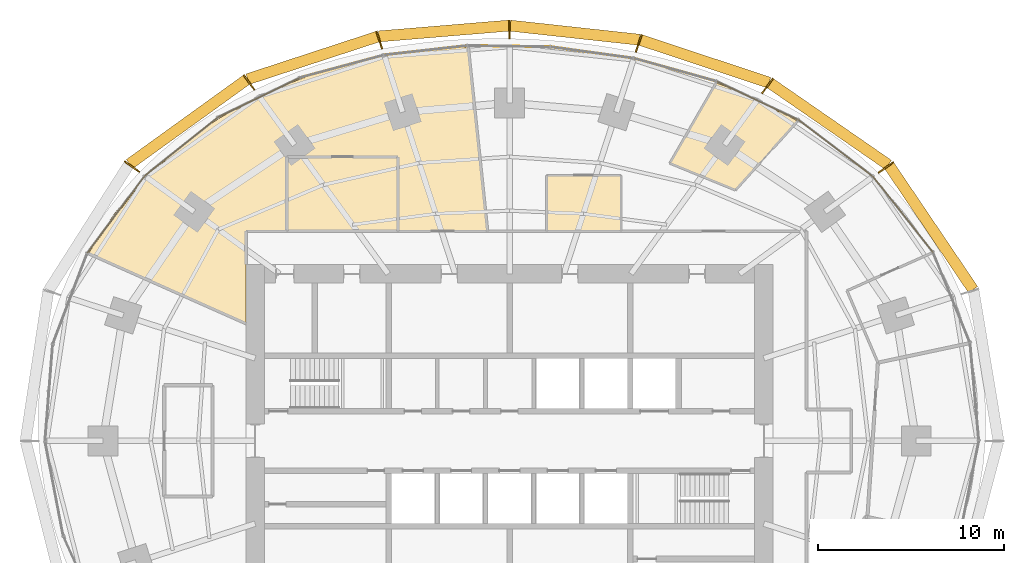
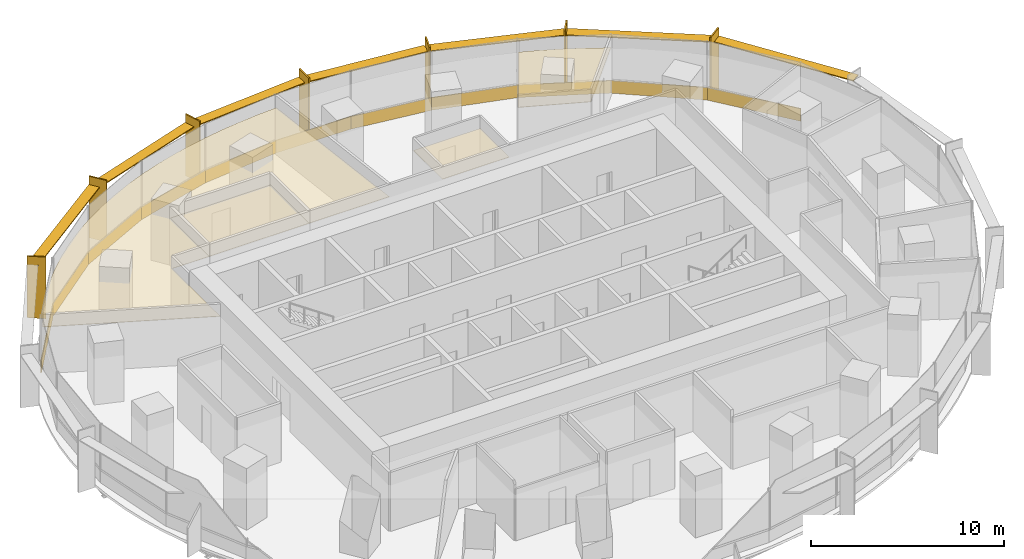
# One storey, part 14 of 14: 15 coverings, 14 shading devices.
"""IFC4 building model written with IfcOpenShell, lengths in metres."""

from ifc_helpers import new_model, si_unit, direction, frame, origin, origin_2d, place, context, subcontext, project, spatial, polyline, rectangle, outline, extrude, material, layer, layer_set, type_object, element, save


model = new_model("IFC4")

# Units and contexts
model_context = context("Model", 3, precision=1e-05, world=origin(), true_north=direction((0.0, 1.0)))
body_context = subcontext(model_context, "Body", "Model", "MODEL_VIEW")
ifc_project = project(units=[si_unit("LENGTHUNIT", "METRE"), si_unit("AREAUNIT", "SQUARE_METRE"), si_unit("VOLUMEUNIT", "CUBIC_METRE"), si_unit("PLANEANGLEUNIT", "RADIAN"), si_unit("MASSUNIT", "GRAM", prefix="KILO")], contexts=[model_context])

# Site, building, storey
site_placement = place(None, origin())
site = spatial("IfcSite", under=ifc_project, at=site_placement, CompositionType="ELEMENT")
building_placement = place(site_placement, origin())
building = spatial("IfcBuilding", under=site, at=building_placement, Name="Marramba Exchange Tower", CompositionType="ELEMENT")
storey_placement = place(building_placement, frame((0.0, 0.0, 127.5)))
storey = spatial("IfcBuildingStorey", under=building, at=storey_placement, Name="L30", CompositionType="ELEMENT", Elevation=127.5)

# Shading devices
ifc_material_1 = material(Name="Aluminium blade, timber-look bronze finish", Category="wood")
ifc_layer_1 = layer(ifc_material_1, 0.080078125)
ifc_layer_set_1 = layer_set([ifc_layer_1], Name="Floor-edge blade 1000x80")
shading_device_type_1 = type_object("IfcShadingDeviceType", Name="Floor-edge blade 1000x80", PredefinedType="USERDEFINED", material=ifc_layer_set_1)
for number, where, z_axis, x_axis, name in (
    (1, (20.27392578125, 14.72998046875, -0.159912109375), (0.0, 0.0, 1.0), (0.809016994375, 0.587785252292, 0.0), "Floor-edge blade FB1 L30 TC03"),
    (2, (13.8955078125, 19.12548828125, -0.159912109375), (0.0, 0.0, 1.0), (0.587785252292, 0.809016994375, 0.0), "Floor-edge blade FB1 L30 TC04"),
    (3, (6.958984375, 21.41748046875, -0.159912109375), (0.0, 0.0, 1.0), (0.309016994375, 0.951056516295, 0.0), "Floor-edge blade FB1 L30 TC05"),
    (4, (0.0, 22.173095703125, -0.159912109375), (0.0, 0.0, 1.0), (0.0, 1.0, 0.0), "Floor-edge blade FB1 L30 TC06"),
    (5, (-7.016845703125, 21.595703125, -0.159912109375), (0.0, 0.0, 1.0), (-0.309016994375, 0.951056516295, 0.0), "Floor-edge blade FB1 L30 TC07"),
    (6, (-14.029296875, 19.3095703125, -0.159912109375), (0.0, 0.0, 1.0), (-0.587785252292, 0.809016994375, 0.0), "Floor-edge blade FB1 L30 TC08"),
    (7, (-20.33642578125, 14.775390625, -0.159912109375), (0.0, 0.0, 1.0), (-0.809016994375, 0.587785252292, 0.0), "Floor-edge blade FB1 L30 TC09"),
):
    element("IfcShadingDevice", number, at=place(storey_placement, frame(where, z_axis=z_axis, x_axis=x_axis)), inside=storey, type_object=shading_device_type_1, Name=name, ObjectType="FIN", PredefinedType="USERDEFINED", context=body_context, shape_type="SweptSolid", body=[
        extrude(rectangle(XDim=1.0, YDim=0.080078125, at=origin_2d()), origin(), (0.0, 0.0, 1.0), 3.89990234375),
    ])
ifc_material_2 = material(Name="Aluminium sunshade, bronze anodised", Category="aluminium")
ifc_layer_2 = layer(ifc_material_2, 0.06005859375)
ifc_layer_set_2 = layer_set([ifc_layer_2], Name="SUNSHADE blade 600x60")
shading_device_type_2 = type_object("IfcShadingDeviceType", Name="SUNSHADE blade 600x60", PredefinedType="USERDEFINED", material=ifc_layer_set_2)
shading_device_1_placement = place(storey_placement, frame((22.712158203125, 11.4833984375, 3.159912109375), z_axis=(0.0, 0.0, 1.0), x_axis=(-0.560441804861, 0.828193807852, 0.0)))
element("IfcShadingDevice", 8, at=shading_device_1_placement, inside=storey, type_object=shading_device_type_2, Name="Sunshade SS1 L30 bay 02", ObjectType="SUNSHADE", PredefinedType="USERDEFINED", context=body_context, shape_type="SweptSolid", body=[
    extrude(rectangle(XDim=8.0439453125, YDim=0.60009765625, at=origin_2d()), origin(), (0.0, 0.0, 1.0), 0.06005859375),
])
shading_device_2_placement = place(storey_placement, frame((17.224365234375, 17.0673828125, 3.159912109375), z_axis=(0.0, 0.0, 1.0), x_axis=(-0.822589509071, 0.568635647464, 0.0)))
element("IfcShadingDevice", 9, at=shading_device_2_placement, inside=storey, type_object=shading_device_type_2, Name="Sunshade SS1 L30 bay 03", ObjectType="SUNSHADE", PredefinedType="USERDEFINED", context=body_context, shape_type="SweptSolid", body=[
    extrude(rectangle(XDim=7.72802734375, YDim=0.60009765625, at=origin_2d()), origin(), (0.0, 0.0, 1.0), 0.06005859375),
])
shading_device_3_placement = place(storey_placement, frame((10.516845703125, 20.447509765625, 3.159912109375), z_axis=(0.0, 0.0, 1.0), x_axis=(-0.949101076178, 0.314971660944, 0.0)))
element("IfcShadingDevice", 10, at=shading_device_3_placement, inside=storey, type_object=shading_device_type_2, Name="Sunshade SS1 L30 bay 04", ObjectType="SUNSHADE", PredefinedType="USERDEFINED", context=body_context, shape_type="SweptSolid", body=[
    extrude(rectangle(XDim=7.287353515625, YDim=0.60009765625, at=origin_2d()), origin(), (0.0, 0.0, 1.0), 0.06005859375),
])
shading_device_4_placement = place(storey_placement, frame((3.510498046875, 21.990478515625, 3.159912109375), z_axis=(0.0, 0.0, 1.0), x_axis=(-0.994111392801, 0.108362995081, 0.0)))
element("IfcShadingDevice", 11, at=shading_device_4_placement, inside=storey, type_object=shading_device_type_2, Name="Sunshade SS1 L30 bay 05", ObjectType="SUNSHADE", PredefinedType="USERDEFINED", context=body_context, shape_type="SweptSolid", body=[
    extrude(rectangle(XDim=6.982421875, YDim=0.60009765625, at=origin_2d()), origin(), (0.0, 0.0, 1.0), 0.06005859375),
])
shading_device_5_placement = place(storey_placement, frame((-3.539306640625, 22.07958984375, 3.159912109375), z_axis=(0.0, 0.0, 1.0), x_axis=(-0.996577838412, -0.08265961521, 0.0)))
element("IfcShadingDevice", 12, at=shading_device_5_placement, inside=storey, type_object=shading_device_type_2, Name="Sunshade SS1 L30 bay 06", ObjectType="SUNSHADE", PredefinedType="USERDEFINED", context=body_context, shape_type="SweptSolid", body=[
    extrude(rectangle(XDim=7.02294921875, YDim=0.60009765625, at=origin_2d()), origin(), (0.0, 0.0, 1.0), 0.06005859375),
])
shading_device_6_placement = place(storey_placement, frame((-10.61279296875, 20.628662109375, 3.159912109375), z_axis=(0.0, 0.0, 1.0), x_axis=(-0.950345637432, -0.311196351865, 0.0)))
element("IfcShadingDevice", 13, at=shading_device_6_placement, inside=storey, type_object=shading_device_type_2, Name="Sunshade SS1 L30 bay 07", ObjectType="SUNSHADE", PredefinedType="USERDEFINED", context=body_context, shape_type="SweptSolid", body=[
    extrude(rectangle(XDim=7.357421875, YDim=0.60009765625, at=origin_2d()), origin(), (0.0, 0.0, 1.0), 0.06005859375),
])
shading_device_7_placement = place(storey_placement, frame((-17.322509765625, 17.18212890625, 3.159912109375), z_axis=(0.0, 0.0, 1.0), x_axis=(-0.811199164202, -0.584769968448, 0.0)))
element("IfcShadingDevice", 14, at=shading_device_7_placement, inside=storey, type_object=shading_device_type_2, Name="Sunshade SS1 L30 bay 08", ObjectType="SUNSHADE", PredefinedType="USERDEFINED", context=body_context, shape_type="SweptSolid", body=[
    extrude(rectangle(XDim=7.749755859375, YDim=0.60009765625, at=origin_2d()), origin(), (0.0, 0.0, 1.0), 0.06005859375),
])

# Coverings
ifc_material_3 = material(Name="Aluminium spandrel panel, bronze anodised, insulated", Category="aluminium")
ifc_layer_3 = layer(ifc_material_3, 0.050048828125)
ifc_layer_set_3 = layer_set([ifc_layer_3], Name="Spandrel panel 800")
covering_type_1 = type_object("IfcCoveringType", Name="Spandrel panel 800", PredefinedType="CLADDING", material=ifc_layer_set_3)
covering_1_placement = place(storey_placement, frame((21.20068359375, 12.194091796875, 0.0), z_axis=(0.0, 0.0, 1.0), x_axis=(-0.621311998758, 0.783563271344, 0.0)))
element("IfcCovering", 15, at=covering_1_placement, inside=storey, type_object=covering_type_1, Name="Spandrel panel SP1 L30 F03", PredefinedType="CLADDING", context=body_context, shape_type="SweptSolid", body=[
    extrude(rectangle(XDim=5.197021484375, YDim=0.050048828125, at=origin_2d()), origin(), (0.0, 0.0, 1.0), 0.800048828125),
])
covering_2_placement = place(storey_placement, frame((17.576171875, 15.759033203125, 0.0), z_axis=(0.0, 0.0, 1.0), x_axis=(-0.795971745176, 0.605333776426, 0.0)))
element("IfcCovering", 16, at=covering_2_placement, inside=storey, type_object=covering_type_1, Name="Spandrel panel SP1 L30 F04", PredefinedType="CLADDING", context=body_context, shape_type="SweptSolid", body=[
    extrude(rectangle(XDim=5.05078125, YDim=0.050048828125, at=origin_2d()), origin(), (0.0, 0.0, 1.0), 0.800048828125),
])
covering_3_placement = place(storey_placement, frame((13.371337890625, 18.322998046875, 0.0), z_axis=(0.0, 0.0, 1.0), x_axis=(-0.904403135206, 0.426678999987, 0.0)))
element("IfcCovering", 17, at=covering_3_placement, inside=storey, type_object=covering_type_1, Name="Spandrel panel SP1 L30 F05", PredefinedType="CLADDING", context=body_context, shape_type="SweptSolid", body=[
    extrude(rectangle(XDim=4.853271484375, YDim=0.050048828125, at=origin_2d()), origin(), (0.0, 0.0, 1.0), 0.800048828125),
])
covering_4_placement = place(storey_placement, frame((8.9365234375, 19.98388671875, 0.0), z_axis=(0.0, 0.0, 1.0), x_axis=(-0.963177847397, 0.268865085655, 0.0)))
element("IfcCovering", 18, at=covering_4_placement, inside=storey, type_object=covering_type_1, Name="Spandrel panel SP1 L30 F06", PredefinedType="CLADDING", context=body_context, shape_type="SweptSolid", body=[
    extrude(rectangle(XDim=4.651611328125, YDim=0.050048828125, at=origin_2d()), origin(), (0.0, 0.0, 1.0), 0.800048828125),
])
covering_5_placement = place(storey_placement, frame((4.46337890625, 20.915283203125, 0.0), z_axis=(0.0, 0.0, 1.0), x_axis=(-0.990738214019, 0.135785828725, 0.0)))
element("IfcCovering", 19, at=covering_5_placement, inside=storey, type_object=covering_type_1, Name="Spandrel panel SP1 L30 F07", PredefinedType="CLADDING", context=body_context, shape_type="SweptSolid", body=[
    extrude(rectangle(XDim=4.507568359375, YDim=0.050048828125, at=origin_2d()), origin(), (0.0, 0.0, 1.0), 0.800048828125),
])
covering_6_placement = place(storey_placement, frame((-0.003662109375, 21.25634765625, 0.0), z_axis=(0.0, 0.0, 1.0), x_axis=(-0.999875870008, 0.015755779107, 0.0)))
element("IfcCovering", 20, at=covering_6_placement, inside=storey, type_object=covering_type_1, Name="Spandrel panel SP1 L30 F08", PredefinedType="CLADDING", context=body_context, shape_type="SweptSolid", body=[
    extrude(rectangle(XDim=4.46875, YDim=0.050048828125, at=origin_2d()), origin(), (0.0, 0.0, 1.0), 0.800048828125),
])
covering_7_placement = place(storey_placement, frame((-4.49609375, 21.03955078125, 0.0), z_axis=(0.0, 0.0, 1.0), x_axis=(-0.993823395975, -0.110973229261, 0.0)))
element("IfcCovering", 21, at=covering_7_placement, inside=storey, type_object=covering_type_1, Name="Spandrel panel SP1 L30 F09", PredefinedType="CLADDING", context=body_context, shape_type="SweptSolid", body=[
    extrude(rectangle(XDim=4.54443359375, YDim=0.050048828125, at=origin_2d()), origin(), (0.0, 0.0, 1.0), 0.800048828125),
])
covering_8_placement = place(storey_placement, frame((-9.0244140625, 20.17529296875, 0.0), z_axis=(0.0, 0.0, 1.0), x_axis=(-0.965522049344, -0.26032128655, 0.0)))
element("IfcCovering", 22, at=covering_8_placement, inside=storey, type_object=covering_type_1, Name="Spandrel panel SP1 L30 F10", PredefinedType="CLADDING", context=body_context, shape_type="SweptSolid", body=[
    extrude(rectangle(XDim=4.70263671875, YDim=0.050048828125, at=origin_2d()), origin(), (0.0, 0.0, 1.0), 0.800048828125),
])
covering_9_placement = place(storey_placement, frame((-13.49609375, 18.498291015625, 0.0), z_axis=(0.0, 0.0, 1.0), x_axis=(-0.900223736484, -0.435427633794, 0.0)))
element("IfcCovering", 23, at=covering_9_placement, inside=storey, type_object=covering_type_1, Name="Spandrel panel SP1 L30 F11", PredefinedType="CLADDING", context=body_context, shape_type="SweptSolid", body=[
    extrude(rectangle(XDim=4.890625, YDim=0.050048828125, at=origin_2d()), origin(), (0.0, 0.0, 1.0), 0.800048828125),
])
covering_10_placement = place(storey_placement, frame((-17.673095703125, 15.854736328125, 0.0), z_axis=(0.0, 0.0, 1.0), x_axis=(-0.781178328369, -0.624307952285, 0.0)))
element("IfcCovering", 24, at=covering_10_placement, inside=storey, type_object=covering_type_1, Name="Spandrel panel SP1 L30 F12", PredefinedType="CLADDING", context=body_context, shape_type="SweptSolid", body=[
    extrude(rectangle(XDim=5.058349609375, YDim=0.050048828125, at=origin_2d()), origin(), (0.0, 0.0, 1.0), 0.800048828125),
])
covering_11_placement = place(storey_placement, frame((-21.19580078125, 12.20068359375, 0.0), z_axis=(0.0, 0.0, 1.0), x_axis=(-0.597703998161, -0.801716864349, 0.0)))
element("IfcCovering", 25, at=covering_11_placement, inside=storey, type_object=covering_type_1, Name="Spandrel panel SP1 L30 F13", PredefinedType="CLADDING", context=body_context, shape_type="SweptSolid", body=[
    extrude(rectangle(XDim=5.17626953125, YDim=0.050048828125, at=origin_2d()), origin(), (0.0, 0.0, 1.0), 0.800048828125),
])
ifc_material_4 = material(Name="Mineral fibre ceiling tiles", Category="gypsum")
ifc_layer_4 = layer(ifc_material_4, 0.02001953125)
ifc_layer_set_4 = layer_set([ifc_layer_4], Name="Suspended ceiling 20")
covering_type_2 = type_object("IfcCoveringType", Name="Suspended ceiling 20", PredefinedType="CEILING", material=ifc_layer_set_4)
covering_12_placement = place(storey_placement, frame((0.0, 0.0, 2.89990234375)))
element("IfcCovering", 26, at=covering_12_placement, inside=storey, type_object=covering_type_2, Name="Ceiling CL1 L30 Open Plan Office 2", PredefinedType="CEILING", context=body_context, shape_type="SweptSolid", body=[
    extrude(outline(polyline([(-21.259765625, 12.2744140625), (-20.451904296875, 13.28173828125), (-19.583984375, 14.228759765625), (-18.66259765625, 15.11279296875), (-17.6943359375, 15.93212890625), (-16.685791015625, 16.685791015625), (-15.643798828125, 17.374267578125), (-14.57421875, 17.99755859375), (-13.482666015625, 18.55712890625), (-12.37451171875, 19.05517578125), (-11.2548828125, 19.493896484375), (-10.127197265625, 19.875732421875), (-8.995361328125, 20.203857421875), (-7.862060546875, 20.4814453125), (-6.7294921875, 20.711181640625), (-5.59912109375, 20.896484375), (-4.47216796875, 21.0400390625), (-3.34912109375, 21.14453125), (-2.2294921875, 21.212158203125), (-1.187744140625, 11.300048828125), (-6.0, 11.300048828125), (-6.0, 15.300048828125), (-12.0, 15.300048828125), (-12.0, 11.300048828125), (-14.199951171875, 11.300048828125), (-14.199951171875, 9.5), (-14.199951171875, 6.322265625), (-22.669677734375, 10.09326171875), (-22.0009765625, 11.2099609375), (-21.259765625, 12.2744140625)])), origin(), (0.0, 0.0, 1.0), 0.02001953125),
])
covering_13_placement = place(storey_placement, frame((0.0, 0.0, 2.89990234375)))
element("IfcCovering", 27, at=covering_13_placement, inside=storey, type_object=covering_type_2, Name="Ceiling CL1 L30 Office 2", PredefinedType="CEILING", context=body_context, shape_type="SweptSolid", body=[
    extrude(outline(polyline([(12.24658203125, 18.8583984375), (13.348876953125, 18.373046875), (13.653564453125, 18.221435546875), (14.43896484375, 17.830810546875), (15.512451171875, 17.228271484375), (12.166748046875, 13.512451171875), (8.63671875, 14.958984375), (11.13671875, 19.289306640625), (12.24658203125, 18.8583984375)])), origin(), (0.0, 0.0, 1.0), 0.02001953125),
])
covering_14_placement = place(storey_placement, frame((0.0, 0.0, 2.89990234375)))
element("IfcCovering", 28, at=covering_14_placement, inside=storey, type_object=covering_type_2, Name="Ceiling CL1 L30 Tea Point 1", PredefinedType="CEILING", context=body_context, shape_type="SweptSolid", body=[
    extrude(outline(polyline([(6.0, 11.300048828125), (2.0, 11.300048828125), (2.0, 14.300048828125), (6.0, 14.300048828125), (6.0, 11.300048828125)])), origin(), (0.0, 0.0, 1.0), 0.02001953125),
])
covering_15_placement = place(storey_placement, frame((0.0, 0.0, 2.89990234375)))
element("IfcCovering", 29, at=covering_15_placement, inside=storey, type_object=covering_type_2, Name="Ceiling CL1 L30 Meeting Room 4", PredefinedType="CEILING", context=body_context, shape_type="SweptSolid", body=[
    extrude(outline(polyline([(-6.0, 11.300048828125), (-12.0, 11.300048828125), (-12.0, 15.300048828125), (-6.0, 15.300048828125), (-6.0, 11.300048828125)])), origin(), (0.0, 0.0, 1.0), 0.02001953125),
])

save(model, "model.ifc")
